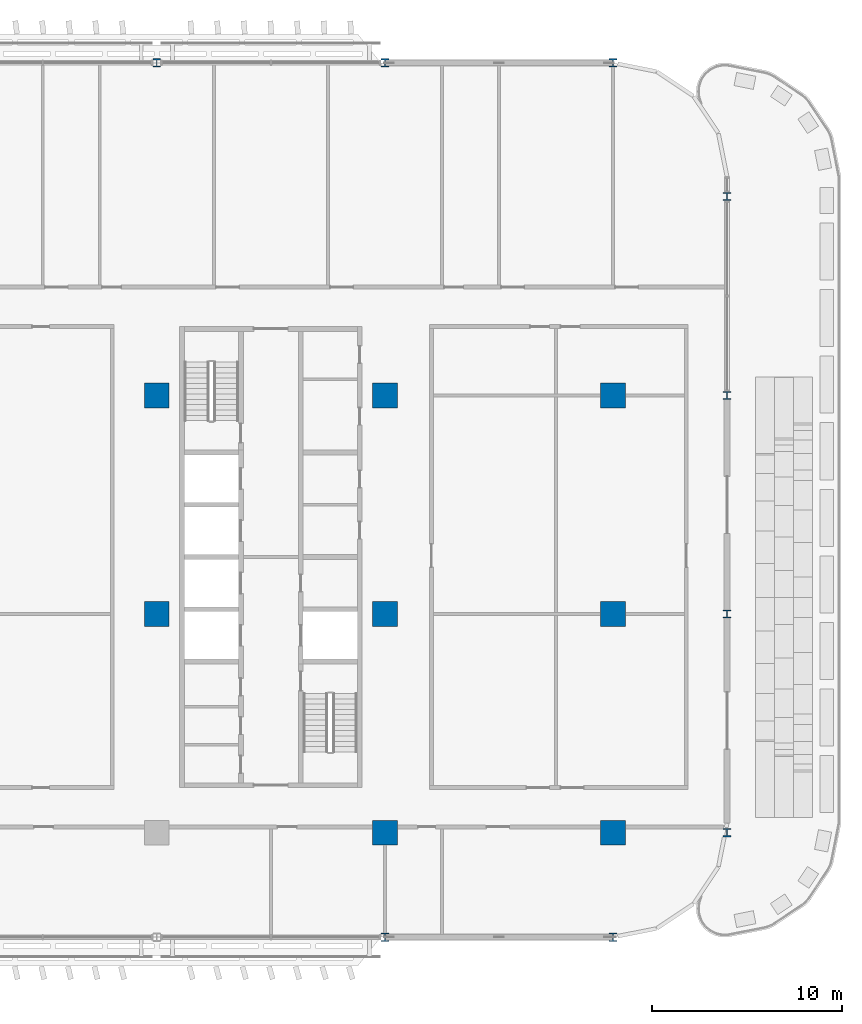
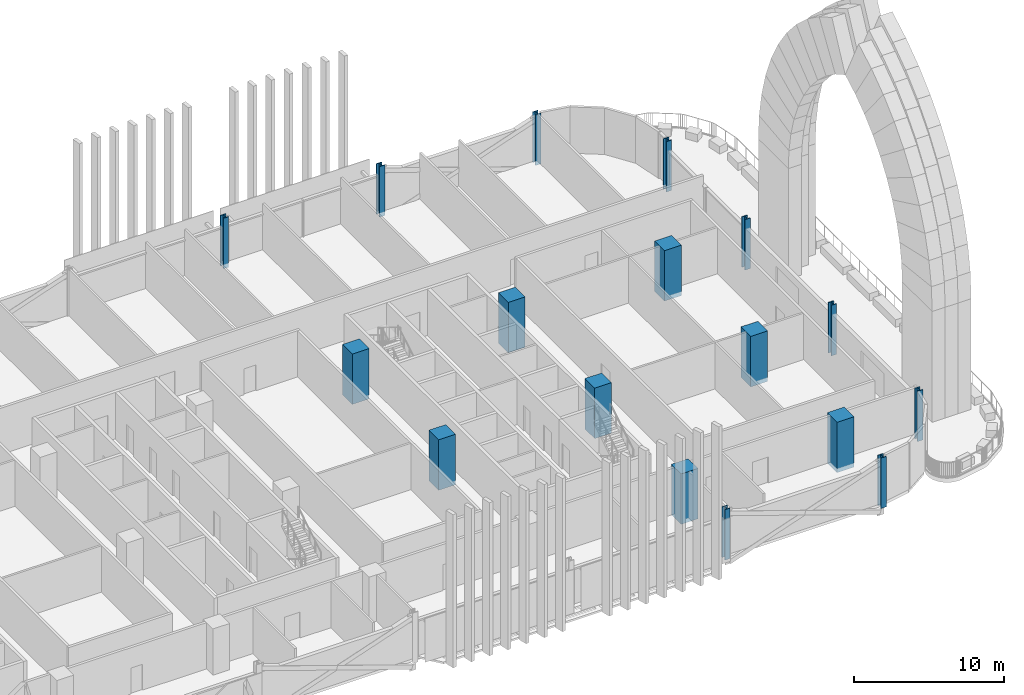
# One storey, part 2 of 33: 17 columns.
"""IFC4 building model written with IfcOpenShell, lengths in metres."""

from ifc_helpers import new_model, si_unit, direction, frame, origin, origin_2d, place, context, subcontext, project, spatial, rectangle, i_section, extrude, material, material_profile, profile_set, type_object, element, save


model = new_model("IFC4")

# Units and contexts
model_context = context("Model", 3, precision=1e-05, world=origin(), true_north=direction((0.0, 1.0)))
body_context = subcontext(model_context, "Body", "Model", "MODEL_VIEW")
ifc_project = project(units=[si_unit("LENGTHUNIT", "METRE"), si_unit("AREAUNIT", "SQUARE_METRE"), si_unit("VOLUMEUNIT", "CUBIC_METRE"), si_unit("PLANEANGLEUNIT", "RADIAN"), si_unit("MASSUNIT", "GRAM", prefix="KILO")], contexts=[model_context])

# Site, building, storey
site_placement = place(None, origin())
site = spatial("IfcSite", under=ifc_project, at=site_placement, CompositionType="ELEMENT")
building_placement = place(site_placement, origin())
building = spatial("IfcBuilding", under=site, at=building_placement, Name="Mahtab Terrace Research Tower", CompositionType="ELEMENT")
storey_placement = place(building_placement, frame((0.0, 0.0, 122.0)))
storey = spatial("IfcBuildingStorey", under=building, at=storey_placement, Name="L28", CompositionType="ELEMENT", Elevation=122.0)

# Columns
ifc_material_1 = material(Name="Concrete C70/85", Category="concrete")
ifc_material_profile_1 = material_profile(ifc_material_1, rectangle(XDim=1.300048828125, YDim=1.300048828125, at=origin_2d()), Name="RC column 1300x1300")
ifc_profile_set_1 = profile_set([ifc_material_profile_1], Name="Concrete C70/85")
column_type_1 = type_object("IfcColumnType", Name="RC column 1300x1300", PredefinedType="COLUMN", material=ifc_profile_set_1)
for number, where, z_axis, x_axis, name in (
    (1, (18.0, 0.0, -0.340087890625), (0.0, 0.0, 1.0), (1.0, 0.0, 0.0), "Column RC-6B L28"),
    (2, (18.0, 11.5, -0.340087890625), (0.0, 0.0, 1.0), (1.0, 0.0, 0.0), "Column RC-6C L28"),
    (3, (30.0, -11.5, -0.340087890625), (0.0, 0.0, 1.0), (1.0, 0.0, 0.0), "Column RC-7A L28"),
    (4, (30.0, 0.0, -0.340087890625), (0.0, 0.0, 1.0), (1.0, 0.0, 0.0), "Column RC-7B L28"),
    (5, (30.0, 11.5, -0.340087890625), (0.0, 0.0, 1.0), (1.0, 0.0, 0.0), "Column RC-7C L28"),
    (6, (42.0, -11.5, -0.340087890625), (0.0, 0.0, 1.0), (1.0, 0.0, 0.0), "Column RC-8A L28"),
    (7, (42.0, 0.0, -0.340087890625), (0.0, 0.0, 1.0), (1.0, 0.0, 0.0), "Column RC-8B L28"),
    (8, (42.0, 11.5, -0.340087890625), (0.0, 0.0, 1.0), (1.0, 0.0, 0.0), "Column RC-8C L28"),
):
    element("IfcColumn", number, at=place(storey_placement, frame(where, z_axis=z_axis, x_axis=x_axis)), inside=storey, type_object=column_type_1, Name=name, PredefinedType="COLUMN", context=body_context, shape_type="SweptSolid", body=[
        extrude(rectangle(XDim=1.300048828125, YDim=1.300048828125, at=origin_2d()), origin(), (0.0, 0.0, 1.0), 4.10009765625),
    ])
ifc_material_2 = material(Name="Steel ASTM A992 Gr 50", Category="steel")
ifc_material_profile_2 = material_profile(ifc_material_2, i_section(OverallWidth=0.41162109375, OverallDepth=0.434326171875, WebThickness=0.035888671875, FlangeThickness=0.057373046875, at=origin_2d()), Name="W14X311")
ifc_profile_set_2 = profile_set([ifc_material_profile_2], Name="Steel ASTM A992 Gr 50")
column_type_2 = type_object("IfcColumnType", Name="W14x311 column CS14311", PredefinedType="COLUMN", material=ifc_profile_set_2)
for number, where, z_axis, x_axis, name in (
    (9, (42.0, 29.0, -0.340087890625), (0.0, 0.0, 1.0), (1.0, 0.0, 0.0), "Column SC-031 L28"),
    (10, (30.0, 29.0, -0.340087890625), (0.0, 0.0, 1.0), (1.0, 0.0, 0.0), "Column SC-032 L28"),
    (11, (18.0, 29.0, -0.340087890625), (0.0, 0.0, 1.0), (1.0, 0.0, 0.0), "Column SC-033 L28"),
    (12, (30.0, -17.0, -0.340087890625), (0.0, 0.0, 1.0), (1.0, 0.0, 0.0), "Column SC-044 L28"),
    (13, (42.0, -17.0, -0.340087890625), (0.0, 0.0, 1.0), (1.0, 0.0, 0.0), "Column SC-045 L28"),
    (14, (48.0, -11.5, -0.340087890625), (0.0, 0.0, 1.0), (1.0, 0.0, 0.0), "Column SC-020 L28"),
    (15, (48.0, 0.0, -0.340087890625), (0.0, 0.0, 1.0), (1.0, 0.0, 0.0), "Column SC-021 L28"),
    (16, (48.0, 11.5, -0.340087890625), (0.0, 0.0, 1.0), (1.0, 0.0, 0.0), "Column SC-022 L28"),
    (17, (48.0, 21.9619140625, -0.340087890625), (0.0, 0.0, 1.0), (1.0, 0.0, 0.0), "Column SC-050 L28"),
):
    element("IfcColumn", number, at=place(storey_placement, frame(where, z_axis=z_axis, x_axis=x_axis)), inside=storey, type_object=column_type_2, Name=name, PredefinedType="COLUMN", context=body_context, shape_type="SweptSolid", body=[
        extrude(i_section(OverallWidth=0.41162109375, OverallDepth=0.434326171875, WebThickness=0.035888671875, FlangeThickness=0.057373046875, at=origin_2d()), origin(), (0.0, 0.0, 1.0), 4.10009765625),
    ])

save(model, "model.ifc")
